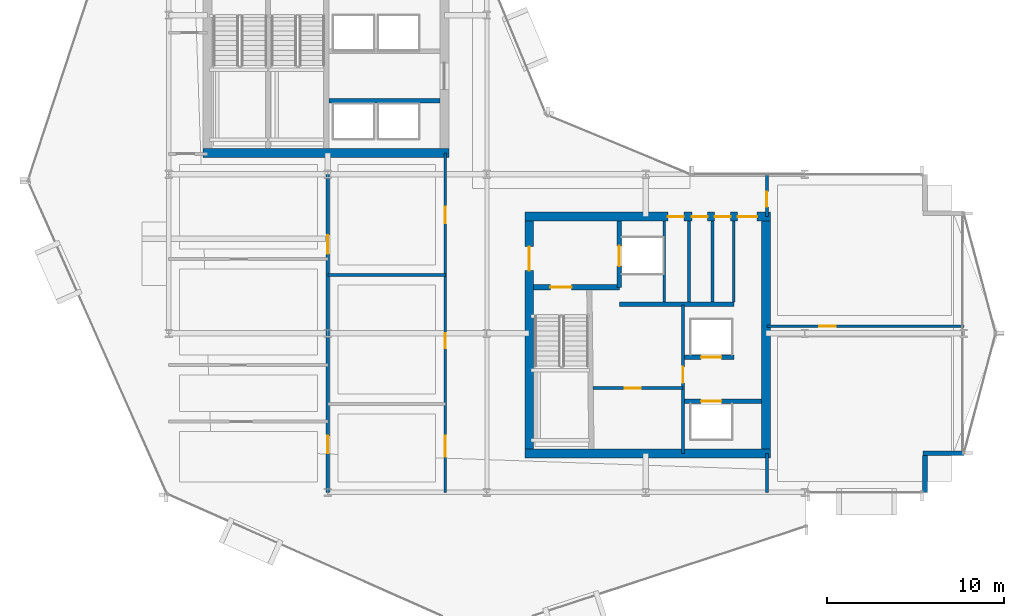
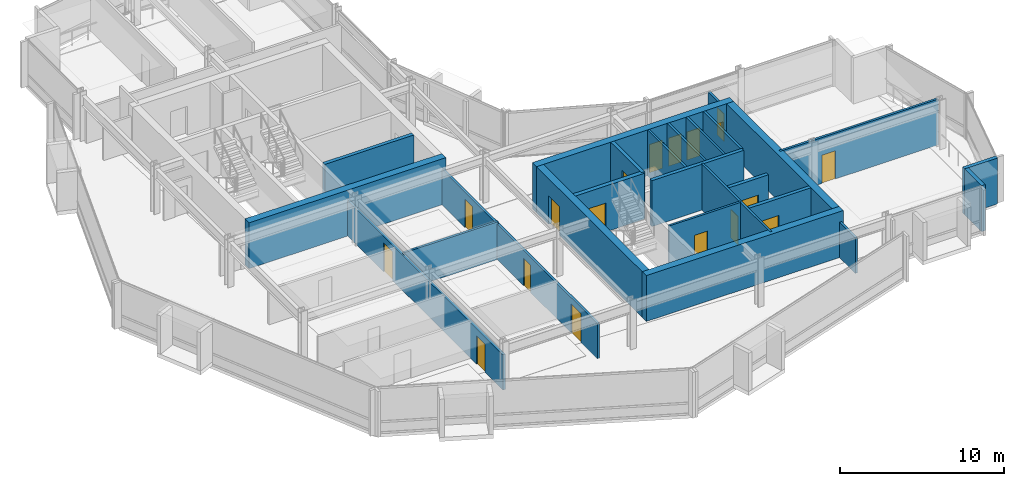
# One storey, part 22 of 28: 25 walls, 18 doors, 18 openings.
"""IFC4 building model written with IfcOpenShell, lengths in metres."""

from ifc_helpers import new_model, si_unit, direction, frame, frame_2d, origin, place, context, subcontext, project, spatial, rectangle, extrude, material, layer, layer_set, type_object, element, fill, save


model = new_model("IFC4")

# Units and contexts
model_context = context("Model", 3, precision=1e-05, world=origin(), true_north=direction((0.0, 1.0)))
body_context = subcontext(model_context, "Body", "Model", "MODEL_VIEW")
ifc_project = project(units=[si_unit("LENGTHUNIT", "METRE"), si_unit("AREAUNIT", "SQUARE_METRE"), si_unit("VOLUMEUNIT", "CUBIC_METRE"), si_unit("PLANEANGLEUNIT", "RADIAN"), si_unit("MASSUNIT", "GRAM", prefix="KILO")], contexts=[model_context])

# Site, building, storey
site_placement = place(None, origin())
site = spatial("IfcSite", under=ifc_project, at=site_placement, CompositionType="ELEMENT")
building_placement = place(site_placement, origin())
building = spatial("IfcBuilding", under=site, at=building_placement, Name="Solvaryn Broadcast Tower", CompositionType="ELEMENT")
storey_placement = place(building_placement, frame((0.0, 0.0, 132.199951171875)))
storey = spatial("IfcBuildingStorey", under=building, at=storey_placement, Name="L32", CompositionType="ELEMENT", Elevation=132.199951171875)

# Walls
ifc_material_1 = material(Name="Concrete f'c 70 MPa", Category="concrete")
ifc_layer_1 = layer(ifc_material_1, 0.5)
ifc_layer_set_1 = layer_set([ifc_layer_1], Name="CW-SHEAR-500")
wall_type_1 = type_object("IfcWallType", Name="CW-SHEAR-500", PredefinedType="SHEAR", material=ifc_layer_set_1)
for number, where, z_axis, x_axis, name in (
    (1, (10.949951171875, 28.199951171875, 0.0), (0.0, 0.0, 1.0), (1.0, 0.0, 0.0), "L32 West Core South Shear Wall"),
    (2, (29.14990234375, 11.199951171875, 0.0), (0.0, 0.0, 1.0), (1.0, 0.0, 0.0), "L32 East Core South Shear Wall"),
):
    element("IfcWall", number, at=place(storey_placement, frame(where, z_axis=z_axis, x_axis=x_axis)), inside=storey, type_object=wall_type_1, Name=name, PredefinedType="SHEAR", context=body_context, shape_type="SweptSolid", body=[
        extrude(rectangle(XDim=13.900146484375, YDim=0.5, at=frame_2d((6.9501953125, 0.0))), origin(), (0.0, 0.0, 1.0), 3.420166015625),
    ])

# Wall, openings, doors
wall_1_placement = place(storey_placement, frame((43.050048828125, 24.60009765625, 0.0), z_axis=(0.0, 0.0, 1.0), x_axis=(-1.0, 0.0, 0.0)))
wall_1 = element("IfcWall", 3, at=wall_1_placement, inside=storey, type_object=wall_type_1, Name="L32 East Core North Shear Wall", PredefinedType="SHEAR", context=body_context, shape_type="SweptSolid", body=[
    extrude(rectangle(XDim=13.900146484375, YDim=0.5, at=frame_2d((6.9501953125, 0.0))), origin(), (0.0, 0.0, 1.0), 3.420166015625),
])
opening_1_placement = place(wall_1_placement, frame((0.75, 0.0, 0.0)))
opening_1 = element("IfcOpeningElement", 4, at=opening_1_placement, cuts=wall_1, Name="Opening FD90C", PredefinedType="OPENING", context=body_context, shape_type="SweptSolid", body=[
    extrude(rectangle(XDim=1.10009765625, YDim=2.14990234375, at=frame_2d((0.550048828125, 1.074951171875))), frame((0.0, 0.260009765625, 0.0), z_axis=(0.0, -1.0, 0.0), x_axis=(1.0, 0.0, 0.0)), (0.0, 0.0, 1.0), 0.52001953125),
])
opening_2_placement = place(wall_1_placement, frame((2.25, 0.0, 0.0)))
opening_2 = element("IfcOpeningElement", 5, at=opening_2_placement, cuts=wall_1, Name="Opening FD60C", PredefinedType="OPENING", context=body_context, shape_type="SweptSolid", body=[
    extrude(rectangle(XDim=0.89990234375, YDim=2.10009765625, at=frame_2d((0.449951171875, 1.050048828125))), frame((0.0, 0.260009765625, 0.0), z_axis=(0.0, -1.0, 0.0), x_axis=(1.0, 0.0, 0.0)), (0.0, 0.0, 1.0), 0.52001953125),
])
opening_3_placement = place(wall_1_placement, frame((3.550048828125, 0.0, 0.0)))
opening_3 = element("IfcOpeningElement", 6, at=opening_3_placement, cuts=wall_1, Name="Opening FD60C", PredefinedType="OPENING", context=body_context, shape_type="SweptSolid", body=[
    extrude(rectangle(XDim=0.89990234375, YDim=2.10009765625, at=frame_2d((0.449951171875, 1.050048828125))), frame((0.0, 0.260009765625, 0.0), z_axis=(0.0, -1.0, 0.0), x_axis=(1.0, 0.0, 0.0)), (0.0, 0.0, 1.0), 0.52001953125),
])
opening_4_placement = place(wall_1_placement, frame((4.89990234375, 0.0, 0.0)))
opening_4 = element("IfcOpeningElement", 7, at=opening_4_placement, cuts=wall_1, Name="Opening FD60C", PredefinedType="OPENING", context=body_context, shape_type="SweptSolid", body=[
    extrude(rectangle(XDim=0.89990234375, YDim=2.10009765625, at=frame_2d((0.449951171875, 1.050048828125))), frame((0.0, 0.260009765625, 0.0), z_axis=(0.0, -1.0, 0.0), x_axis=(1.0, 0.0, 0.0)), (0.0, 0.0, 1.0), 0.52001953125),
])
ifc_material_2 = material(Name="Flush Acoustic Steel and Timber Door Assembly", Category="steel")
door_type_1 = type_object("IfcDoorType", Name="FD60-SERV-900X2100", OperationType="NOTDEFINED", PredefinedType="DOOR", material=ifc_material_2)
door_1_placement = place(opening_2_placement, origin())
door_1 = element("IfcDoor", 8, at=door_1_placement, inside=storey, type_object=door_type_1, Name="L32 Core Wellness Room Door", OperationType="SINGLE_SWING_RIGHT", OverallHeight=2.10009765625, OverallWidth=0.89990234375, PredefinedType="DOOR", context=body_context, shape_type="SweptSolid", body=[
    extrude(rectangle(XDim=0.89990234375, YDim=2.10009765625, at=frame_2d((0.449951171875, 1.050048828125))), frame((0.0, 0.02490234375, 0.0), z_axis=(0.0, -1.0, 0.0), x_axis=(1.0, 0.0, 0.0)), (0.0, 0.0, 1.0), 0.050048828125),
])
fill(opening_2, door_1)
door_2_placement = place(opening_3_placement, origin())
door_2 = element("IfcDoor", 9, at=door_2_placement, inside=storey, type_object=door_type_1, Name="L32 Staff Restroom Door", OperationType="SINGLE_SWING_LEFT", OverallHeight=2.10009765625, OverallWidth=0.89990234375, PredefinedType="DOOR", context=body_context, shape_type="SweptSolid", body=[
    extrude(rectangle(XDim=0.89990234375, YDim=2.10009765625, at=frame_2d((0.449951171875, 1.050048828125))), frame((0.0, 0.02490234375, 0.0), z_axis=(0.0, -1.0, 0.0), x_axis=(1.0, 0.0, 0.0)), (0.0, 0.0, 1.0), 0.050048828125),
])
fill(opening_3, door_2)
door_3_placement = place(opening_4_placement, origin())
door_3 = element("IfcDoor", 10, at=door_3_placement, inside=storey, type_object=door_type_1, Name="L32 Accessible WC Door", OperationType="SINGLE_SWING_RIGHT", OverallHeight=2.10009765625, OverallWidth=0.89990234375, PredefinedType="DOOR", context=body_context, shape_type="SweptSolid", body=[
    extrude(rectangle(XDim=0.89990234375, YDim=2.10009765625, at=frame_2d((0.449951171875, 1.050048828125))), frame((0.0, 0.02490234375, 0.0), z_axis=(0.0, -1.0, 0.0), x_axis=(1.0, 0.0, 0.0)), (0.0, 0.0, 1.0), 0.050048828125),
])
fill(opening_4, door_3)
ifc_material_3 = material(Name="Flush Acoustic Steel and Timber Door Assembly", Category="steel")
door_type_2 = type_object("IfcDoorType", Name="FD90-PLANT-1100X2150", OperationType="NOTDEFINED", PredefinedType="DOOR", material=ifc_material_3)
door_4_placement = place(opening_1_placement, origin())
door_4 = element("IfcDoor", 11, at=door_4_placement, inside=storey, type_object=door_type_2, Name="L32 East Core Lobby Corridor Door", OperationType="SINGLE_SWING_LEFT", OverallHeight=2.14990234375, OverallWidth=1.10009765625, PredefinedType="DOOR", context=body_context, shape_type="SweptSolid", body=[
    extrude(rectangle(XDim=1.10009765625, YDim=2.14990234375, at=frame_2d((0.550048828125, 1.074951171875))), frame((0.0, 0.02490234375, 0.0), z_axis=(0.0, -1.0, 0.0), x_axis=(1.0, 0.0, 0.0)), (0.0, 0.0, 1.0), 0.050048828125),
])
fill(opening_1, door_4)

# Wall, opening, door
wall_2_placement = place(storey_placement, frame((29.39990234375, 24.35009765625, 0.0), z_axis=(0.0, 0.0, 1.0), x_axis=(0.0, -1.0, 0.0)))
wall_2 = element("IfcWall", 12, at=wall_2_placement, inside=storey, type_object=wall_type_1, Name="L32 East Core West Shear Wall", PredefinedType="SHEAR", context=body_context, shape_type="SweptSolid", body=[
    extrude(rectangle(XDim=12.900146484375, YDim=0.5, at=frame_2d((6.4501953125, 0.0))), origin(), (0.0, 0.0, 1.0), 3.420166015625),
])
opening_5_placement = place(wall_2_placement, frame((1.449951171875, 0.0, 0.0)))
opening_5 = element("IfcOpeningElement", 13, at=opening_5_placement, cuts=wall_2, Name="Opening FD90B", PredefinedType="OPENING", context=body_context, shape_type="SweptSolid", body=[
    extrude(rectangle(XDim=1.35009765625, YDim=2.14990234375, at=frame_2d((0.675048828125, 1.074951171875))), frame((0.0, 0.260009765625, 0.0), z_axis=(0.0, -1.0, 0.0), x_axis=(1.0, 0.0, 0.0)), (0.0, 0.0, 1.0), 0.52001953125),
])
ifc_material_4 = material(Name="Flush Acoustic Steel and Timber Door Assembly", Category="steel")
door_type_3 = type_object("IfcDoorType", Name="FD90-LOBBY-1350X2150", OperationType="NOTDEFINED", PredefinedType="DOOR", material=ifc_material_4)
door_5_placement = place(opening_5_placement, origin())
door_5 = element("IfcDoor", 14, at=door_5_placement, inside=storey, type_object=door_type_3, Name="L32 East FSAE Lobby Door", OperationType="SINGLE_SWING_RIGHT", OverallHeight=2.14990234375, OverallWidth=1.35009765625, PredefinedType="DOOR", context=body_context, shape_type="SweptSolid", body=[
    extrude(rectangle(XDim=1.35009765625, YDim=2.14990234375, at=frame_2d((0.675048828125, 1.074951171875))), frame((0.0, 0.02490234375, 0.0), z_axis=(0.0, -1.0, 0.0), x_axis=(1.0, 0.0, 0.0)), (0.0, 0.0, 1.0), 0.050048828125),
])
fill(opening_5, door_5)

# Walls
wall_3_placement = place(storey_placement, frame((42.800048828125, 11.449951171875, 0.0), z_axis=(0.0, 0.0, 1.0), x_axis=(0.0, 1.0, 0.0)))
element("IfcWall", 15, at=wall_3_placement, inside=storey, type_object=wall_type_1, Name="L32 East Core East Shear Wall", PredefinedType="SHEAR", context=body_context, shape_type="SweptSolid", body=[
    extrude(rectangle(XDim=12.900146484375, YDim=0.5, at=frame_2d((6.4501953125, 0.0))), origin(), (0.0, 0.0, 1.0), 3.420166015625),
])
ifc_material_5 = material(Name="Concrete f'c 50 MPa", Category="concrete")
ifc_layer_2 = layer(ifc_material_5, 0.260009765625)
ifc_layer_set_2 = layer_set([ifc_layer_2], Name="EW-PIER-260")
wall_type_2 = type_object("IfcWallType", Name="EW-PIER-260", PredefinedType="SOLIDWALL", material=ifc_layer_set_2)
wall_4_placement = place(storey_placement, frame((51.800048828125, 9.0, 0.0), z_axis=(0.0, 0.0, 1.0), x_axis=(0.0, 1.0, 0.0)))
element("IfcWall", 16, at=wall_4_placement, inside=storey, type_object=wall_type_2, Name="L32 Notched Corner Pier Wall NSE1", PredefinedType="SOLIDWALL", context=body_context, shape_type="SweptSolid", body=[
    extrude(rectangle(XDim=2.080078125, YDim=0.260009765625, at=frame_2d((1.0400390625, 0.0))), origin(), (0.0, 0.0, 1.0), 3.420166015625),
])
wall_5_placement = place(storey_placement, frame((51.679931640625, 11.199951171875, 0.0), z_axis=(0.0, 0.0, 1.0), x_axis=(1.0, 0.0, 0.0)))
element("IfcWall", 17, at=wall_5_placement, inside=storey, type_object=wall_type_2, Name="L32 Notched Corner Pier Wall NSE2", PredefinedType="SOLIDWALL", context=body_context, shape_type="SweptSolid", body=[
    extrude(rectangle(XDim=2.320068359375, YDim=0.260009765625, at=frame_2d((1.16015625, 0.0))), origin(), (0.0, 0.0, 1.0), 3.420166015625),
])

# Wall, opening, door
ifc_material_6 = material(Name="Metal-Stud Service Core Partition")
ifc_layer_3 = layer(ifc_material_6, 0.14990234375)
ifc_layer_set_3 = layer_set([ifc_layer_3], Name="IW-PART-150")
wall_type_3 = type_object("IfcWallType", Name="IW-PART-150", PredefinedType="PARTITIONING", material=ifc_layer_set_3)
wall_6_placement = place(storey_placement, frame((33.0, 14.89990234375, 0.0), z_axis=(0.0, 0.0, 1.0), x_axis=(1.0, 0.0, 0.0)))
wall_6 = element("IfcWall", 18, at=wall_6_placement, inside=storey, type_object=wall_type_3, Name="L32 Interior Partition IW-L32-RPL-H", PredefinedType="PARTITIONING", context=body_context, shape_type="SweptSolid", body=[
    extrude(rectangle(XDim=5.10009765625, YDim=0.14990234375, at=frame_2d((2.550048828125, 0.0))), origin(), (0.0, 0.0, 1.0), 3.420166015625),
])
opening_6_placement = place(wall_6_placement, frame((1.800048828125, 0.0, 0.0)))
opening_6 = element("IfcOpeningElement", 19, at=opening_6_placement, cuts=wall_6, Name="Opening FD60C", PredefinedType="OPENING", context=body_context, shape_type="SweptSolid", body=[
    extrude(rectangle(XDim=0.89990234375, YDim=2.10009765625, at=frame_2d((0.449951171875, 1.050048828125))), frame((0.0, 0.0849609375, 0.0), z_axis=(0.0, -1.0, 0.0), x_axis=(1.0, 0.0, 0.0)), (0.0, 0.0, 1.0), 0.169921875),
])
door_6_placement = place(opening_6_placement, origin())
door_6 = element("IfcDoor", 20, at=door_6_placement, inside=storey, type_object=door_type_1, Name="L32 Door DR-L32-RPL1", OperationType="SINGLE_SWING_LEFT", OverallHeight=2.10009765625, OverallWidth=0.89990234375, PredefinedType="DOOR", context=body_context, shape_type="SweptSolid", body=[
    extrude(rectangle(XDim=0.89990234375, YDim=2.10009765625, at=frame_2d((0.449951171875, 1.050048828125))), frame((0.0, 0.02490234375, 0.0), z_axis=(0.0, -1.0, 0.0), x_axis=(1.0, 0.0, 0.0)), (0.0, 0.0, 1.0), 0.050048828125),
])
fill(opening_6, door_6)

wall_7_placement = place(storey_placement, frame((38.10009765625, 11.199951171875, 0.0), z_axis=(0.0, 0.0, 1.0), x_axis=(0.0, 1.0, 0.0)))
wall_7 = element("IfcWall", 21, at=wall_7_placement, inside=storey, type_object=wall_type_3, Name="L32 Interior Partition IW-L32-RPL-E", PredefinedType="PARTITIONING", context=body_context, shape_type="SweptSolid", body=[
    extrude(rectangle(XDim=8.400146484375, YDim=0.14990234375, at=frame_2d((4.2001953125, 0.0))), origin(), (0.0, 0.0, 1.0), 3.420166015625),
])
opening_7_placement = place(wall_7_placement, frame((4.0, 0.0, 0.0)))
opening_7 = element("IfcOpeningElement", 22, at=opening_7_placement, cuts=wall_7, Name="Opening FD60C", PredefinedType="OPENING", context=body_context, shape_type="SweptSolid", body=[
    extrude(rectangle(XDim=0.89990234375, YDim=2.10009765625, at=frame_2d((0.449951171875, 1.050048828125))), frame((0.0, 0.0849609375, 0.0), z_axis=(0.0, -1.0, 0.0), x_axis=(1.0, 0.0, 0.0)), (0.0, 0.0, 1.0), 0.169921875),
])
door_7_placement = place(opening_7_placement, origin())
door_7 = element("IfcDoor", 23, at=door_7_placement, inside=storey, type_object=door_type_1, Name="L32 Door DR-L32-RPL2", OperationType="SINGLE_SWING_RIGHT", OverallHeight=2.10009765625, OverallWidth=0.89990234375, PredefinedType="DOOR", context=body_context, shape_type="SweptSolid", body=[
    extrude(rectangle(XDim=0.89990234375, YDim=2.10009765625, at=frame_2d((0.449951171875, 1.050048828125))), frame((0.0, 0.02490234375, 0.0), z_axis=(0.0, -1.0, 0.0), x_axis=(1.0, 0.0, 0.0)), (0.0, 0.0, 1.0), 0.050048828125),
])
fill(opening_7, door_7)

# Walls
for number, where, z_axis, x_axis, name in (
    (24, (37.050048828125, 19.780029296875, 0.0), (0.0, 0.0, 1.0), (0.0, 1.0, 0.0), "L32 Interior Partition IW-L32-CE-FL2E"),
    (25, (38.43994140625, 19.780029296875, 0.0), (0.0, 0.0, 1.0), (0.0, 1.0, 0.0), "L32 Interior Partition IW-L32-CE-V1"),
    (26, (39.77001953125, 19.780029296875, 0.0), (0.0, 0.0, 1.0), (0.0, 1.0, 0.0), "L32 Interior Partition IW-L32-CE-V2"),
    (27, (40.97998046875, 19.780029296875, 0.0), (0.0, 0.0, 1.0), (0.0, 1.0, 0.0), "L32 Interior Partition IW-L32-CE-V3"),
):
    element("IfcWall", number, at=place(storey_placement, frame(where, z_axis=z_axis, x_axis=x_axis)), inside=storey, type_object=wall_type_3, Name=name, PredefinedType="PARTITIONING", context=body_context, shape_type="SweptSolid", body=[
        extrude(rectangle(XDim=4.570068359375, YDim=0.14990234375, at=frame_2d((2.28515625, 0.0))), origin(), (0.0, 0.0, 1.0), 3.420166015625),
    ])

# Wall, openings, doors
ifc_material_7 = material(Name="Metal-Stud Gypsum Office Partition")
ifc_layer_4 = layer(ifc_material_7, 0.159912109375)
ifc_layer_set_4 = layer_set([ifc_layer_4], Name="IW-PART-160")
wall_type_4 = type_object("IfcWallType", Name="IW-PART-160", PredefinedType="PARTITIONING", material=ifc_layer_set_4)
wall_8_placement = place(storey_placement, frame((24.64990234375, 9.0, 0.0), z_axis=(0.0, 0.0, 1.0), x_axis=(0.0, 1.0, 0.0)))
wall_8 = element("IfcWall", 28, at=wall_8_placement, inside=storey, type_object=wall_type_4, Name="L32 Interior Partition IW-L32-SW-EB", PredefinedType="PARTITIONING", context=body_context, shape_type="SweptSolid", body=[
    extrude(rectangle(XDim=19.199951171875, YDim=0.159912109375, at=frame_2d((9.60009765625, 0.0))), origin(), (0.0, 0.0, 1.0), 2.634033203125),
])
opening_8_placement = place(wall_8_placement, frame((2.0, 0.0, 0.0)))
opening_8 = element("IfcOpeningElement", 29, at=opening_8_placement, cuts=wall_8, Name="Opening ID04", PredefinedType="OPENING", context=body_context, shape_type="SweptSolid", body=[
    extrude(rectangle(XDim=1.199951171875, YDim=2.14990234375, at=frame_2d((0.60009765625, 1.074951171875))), frame((0.0, 0.090087890625, 0.0), z_axis=(0.0, -1.0, 0.0), x_axis=(1.0, 0.0, 0.0)), (0.0, 0.0, 1.0), 0.179931640625),
])
opening_9_placement = place(wall_8_placement, frame((8.14990234375, 0.0, 0.0)))
opening_9 = element("IfcOpeningElement", 30, at=opening_9_placement, cuts=wall_8, Name="Opening ID07", PredefinedType="OPENING", context=body_context, shape_type="SweptSolid", body=[
    extrude(rectangle(XDim=0.860107421875, YDim=2.050048828125, at=frame_2d((0.43017578125, 1.02490234375))), frame((0.0, 0.090087890625, 0.0), z_axis=(0.0, -1.0, 0.0), x_axis=(1.0, 0.0, 0.0)), (0.0, 0.0, 1.0), 0.179931640625),
])
opening_10_placement = place(wall_8_placement, frame((15.215087890625, 0.0, 0.0)))
opening_10 = element("IfcOpeningElement", 31, at=opening_10_placement, cuts=wall_8, Name="Opening ID01", PredefinedType="OPENING", context=body_context, shape_type="SweptSolid", body=[
    extrude(rectangle(XDim=0.949951171875, YDim=2.10009765625, at=frame_2d((0.47509765625, 1.050048828125))), frame((0.0, 0.090087890625, 0.0), z_axis=(0.0, -1.0, 0.0), x_axis=(1.0, 0.0, 0.0)), (0.0, 0.0, 1.0), 0.179931640625),
])
ifc_material_8 = material(Name="Flush Acoustic Steel and Timber Door Assembly", Category="steel")
door_type_4 = type_object("IfcDoorType", Name="ID-01-950X2100", OperationType="NOTDEFINED", PredefinedType="DOOR", material=ifc_material_8)
door_8_placement = place(opening_10_placement, origin())
door_8 = element("IfcDoor", 32, at=door_8_placement, inside=storey, type_object=door_type_4, Name="L32 Door DR-L32-SWE-3", OperationType="SINGLE_SWING_RIGHT", OverallHeight=2.10009765625, OverallWidth=0.949951171875, PredefinedType="DOOR", context=body_context, shape_type="SweptSolid", body=[
    extrude(rectangle(XDim=0.949951171875, YDim=2.10009765625, at=frame_2d((0.47509765625, 1.050048828125))), frame((0.0, 0.02490234375, 0.0), z_axis=(0.0, -1.0, 0.0), x_axis=(1.0, 0.0, 0.0)), (0.0, 0.0, 1.0), 0.050048828125),
])
fill(opening_10, door_8)
ifc_material_9 = material(Name="Flush Acoustic Steel and Timber Door Assembly", Category="steel")
door_type_5 = type_object("IfcDoorType", Name="ID-04-1200X2150", OperationType="NOTDEFINED", PredefinedType="DOOR", material=ifc_material_9)
door_9_placement = place(opening_8_placement, origin())
door_9 = element("IfcDoor", 33, at=door_9_placement, inside=storey, type_object=door_type_5, Name="L32 Door DR-L32-SWE-1", OperationType="SINGLE_SWING_RIGHT", OverallHeight=2.14990234375, OverallWidth=1.199951171875, PredefinedType="DOOR", context=body_context, shape_type="SweptSolid", body=[
    extrude(rectangle(XDim=1.199951171875, YDim=2.14990234375, at=frame_2d((0.60009765625, 1.074951171875))), frame((0.0, 0.02490234375, 0.0), z_axis=(0.0, -1.0, 0.0), x_axis=(1.0, 0.0, 0.0)), (0.0, 0.0, 1.0), 0.050048828125),
])
fill(opening_8, door_9)
ifc_material_10 = material(Name="Flush Acoustic Steel and Timber Door Assembly", Category="steel")
door_type_6 = type_object("IfcDoorType", Name="ID-07-860X2050", OperationType="NOTDEFINED", PredefinedType="DOOR", material=ifc_material_10)
door_10_placement = place(opening_9_placement, origin())
door_10 = element("IfcDoor", 34, at=door_10_placement, inside=storey, type_object=door_type_6, Name="L32 Door DR-L32-SWE-2", OperationType="SINGLE_SWING_LEFT", OverallHeight=2.050048828125, OverallWidth=0.860107421875, PredefinedType="DOOR", context=body_context, shape_type="SweptSolid", body=[
    extrude(rectangle(XDim=0.860107421875, YDim=2.050048828125, at=frame_2d((0.43017578125, 1.02490234375))), frame((0.0, 0.02490234375, 0.0), z_axis=(0.0, -1.0, 0.0), x_axis=(1.0, 0.0, 0.0)), (0.0, 0.0, 1.0), 0.050048828125),
])
fill(opening_9, door_10)

# Walls
wall_9_placement = place(storey_placement, frame((18.0, 21.300048828125, 0.0), z_axis=(0.0, 0.0, 1.0), x_axis=(1.0, 0.0, 0.0)))
element("IfcWall", 35, at=wall_9_placement, inside=storey, type_object=wall_type_4, Name="L32 Interior Partition IW-L32-SWE-H2", PredefinedType="PARTITIONING", context=body_context, shape_type="SweptSolid", body=[
    extrude(rectangle(XDim=6.64990234375, YDim=0.159912109375, at=frame_2d((3.324951171875, 0.0))), origin(), (0.0, 0.0, 1.0), 2.7919921875),
])
wall_10_placement = place(storey_placement, frame((42.85009765625, 9.0, 0.0), z_axis=(0.0, 0.0, 1.0), x_axis=(0.0, 1.0, 0.0)))
element("IfcWall", 36, at=wall_10_placement, inside=storey, type_object=wall_type_4, Name="L32 Interior Partition IW-L32-SC-E", PredefinedType="PARTITIONING", context=body_context, shape_type="SweptSolid", body=[
    extrude(rectangle(XDim=2.199951171875, YDim=0.159912109375, at=frame_2d((1.10009765625, 0.0))), origin(), (0.0, 0.0, 1.0), 2.634033203125),
])

# Wall, opening, door
wall_11_placement = place(storey_placement, frame((42.85009765625, 24.60009765625, 0.0), z_axis=(0.0, 0.0, 1.0), x_axis=(0.0, 1.0, 0.0)))
wall_11 = element("IfcWall", 37, at=wall_11_placement, inside=storey, type_object=wall_type_4, Name="L32 Interior Partition IW-L32-EW-BN", PredefinedType="PARTITIONING", context=body_context, shape_type="SweptSolid", body=[
    extrude(rectangle(XDim=2.39990234375, YDim=0.159912109375, at=frame_2d((1.199951171875, 0.0))), origin(), (0.0, 0.0, 1.0), 2.634033203125),
])
opening_11_placement = place(wall_11_placement, frame((0.550048828125, 0.0, 0.0)))
opening_11 = element("IfcOpeningElement", 38, at=opening_11_placement, cuts=wall_11, Name="Opening ID07", PredefinedType="OPENING", context=body_context, shape_type="SweptSolid", body=[
    extrude(rectangle(XDim=0.860107421875, YDim=2.050048828125, at=frame_2d((0.43017578125, 1.02490234375))), frame((0.0, 0.090087890625, 0.0), z_axis=(0.0, -1.0, 0.0), x_axis=(1.0, 0.0, 0.0)), (0.0, 0.0, 1.0), 0.179931640625),
])
door_11_placement = place(opening_11_placement, origin())
door_11 = element("IfcDoor", 39, at=door_11_placement, inside=storey, type_object=door_type_6, Name="L32 Door DR-L32-EW0", OperationType="SINGLE_SWING_LEFT", OverallHeight=2.050048828125, OverallWidth=0.860107421875, PredefinedType="DOOR", context=body_context, shape_type="SweptSolid", body=[
    extrude(rectangle(XDim=0.860107421875, YDim=2.050048828125, at=frame_2d((0.43017578125, 1.02490234375))), frame((0.0, 0.02490234375, 0.0), z_axis=(0.0, -1.0, 0.0), x_axis=(1.0, 0.0, 0.0)), (0.0, 0.0, 1.0), 0.050048828125),
])
fill(opening_11, door_11)

wall_12_placement = place(storey_placement, frame((42.85009765625, 18.39990234375, 0.0), z_axis=(0.0, 0.0, 1.0), x_axis=(1.0, 0.0, 0.0)))
wall_12 = element("IfcWall", 40, at=wall_12_placement, inside=storey, type_object=wall_type_4, Name="L32 Interior Partition IW-L32-EW-H1", PredefinedType="PARTITIONING", context=body_context, shape_type="SweptSolid", body=[
    extrude(rectangle(XDim=11.14990234375, YDim=0.159912109375, at=frame_2d((5.574951171875, 0.0))), origin(), (0.0, 0.0, 1.0), 3.420166015625),
])
opening_12_placement = place(wall_12_placement, frame((2.949951171875, 0.0, 0.0)))
opening_12 = element("IfcOpeningElement", 41, at=opening_12_placement, cuts=wall_12, Name="Opening ID01", PredefinedType="OPENING", context=body_context, shape_type="SweptSolid", body=[
    extrude(rectangle(XDim=0.949951171875, YDim=2.10009765625, at=frame_2d((0.47509765625, 1.050048828125))), frame((0.0, 0.090087890625, 0.0), z_axis=(0.0, -1.0, 0.0), x_axis=(1.0, 0.0, 0.0)), (0.0, 0.0, 1.0), 0.179931640625),
])
door_12_placement = place(opening_12_placement, origin())
door_12 = element("IfcDoor", 42, at=door_12_placement, inside=storey, type_object=door_type_4, Name="L32 Door DR-L32-EW-1", OperationType="SINGLE_SWING_RIGHT", OverallHeight=2.10009765625, OverallWidth=0.949951171875, PredefinedType="DOOR", context=body_context, shape_type="SweptSolid", body=[
    extrude(rectangle(XDim=0.949951171875, YDim=2.10009765625, at=frame_2d((0.47509765625, 1.050048828125))), frame((0.0, 0.02490234375, 0.0), z_axis=(0.0, -1.0, 0.0), x_axis=(1.0, 0.0, 0.0)), (0.0, 0.0, 1.0), 0.050048828125),
])
fill(opening_12, door_12)

# Wall, openings, doors
ifc_material_11 = material(Name="Acoustic Metal-Stud Gypsum Partition")
ifc_layer_5 = layer(ifc_material_11, 0.179931640625)
ifc_layer_set_5 = layer_set([ifc_layer_5], Name="IW-PART-180")
wall_type_5 = type_object("IfcWallType", Name="IW-PART-180", PredefinedType="PARTITIONING", material=ifc_layer_set_5)
wall_13_placement = place(storey_placement, frame((18.0, 9.0, 0.0), z_axis=(0.0, 0.0, 1.0), x_axis=(0.0, 1.0, 0.0)))
wall_13 = element("IfcWall", 43, at=wall_13_placement, inside=storey, type_object=wall_type_5, Name="L32 Interior Partition IW-L32-SW-VX", PredefinedType="PARTITIONING", context=body_context, shape_type="SweptSolid", body=[
    extrude(rectangle(XDim=19.1298828125, YDim=0.179931640625, at=frame_2d((9.56494140625, 0.0))), origin(), (0.0, 0.0, 1.0), 2.634033203125),
])
opening_13_placement = place(wall_13_placement, frame((2.199951171875, 0.0, 0.0)))
opening_13 = element("IfcOpeningElement", 44, at=opening_13_placement, cuts=wall_13, Name="Opening ID02", PredefinedType="OPENING", context=body_context, shape_type="SweptSolid", body=[
    extrude(rectangle(XDim=1.0, YDim=2.10009765625, at=frame_2d((0.5, 1.050048828125))), frame((0.0, 0.099853515625, 0.0), z_axis=(0.0, -1.0, 0.0), x_axis=(1.0, 0.0, 0.0)), (0.0, 0.0, 1.0), 0.199951171875),
])
opening_14_placement = place(wall_13_placement, frame((13.5, 0.0, 0.0)))
opening_14 = element("IfcOpeningElement", 45, at=opening_14_placement, cuts=wall_13, Name="Opening ID03", PredefinedType="OPENING", context=body_context, shape_type="SweptSolid", body=[
    extrude(rectangle(XDim=1.050048828125, YDim=2.14990234375, at=frame_2d((0.52490234375, 1.074951171875))), frame((0.0, 0.099853515625, 0.0), z_axis=(0.0, -1.0, 0.0), x_axis=(1.0, 0.0, 0.0)), (0.0, 0.0, 1.0), 0.199951171875),
])
ifc_material_12 = material(Name="Flush Acoustic Steel and Timber Door Assembly", Category="steel")
door_type_7 = type_object("IfcDoorType", Name="ID-02-1000X2100", OperationType="NOTDEFINED", PredefinedType="DOOR", material=ifc_material_12)
door_13_placement = place(opening_13_placement, origin())
door_13 = element("IfcDoor", 46, at=door_13_placement, inside=storey, type_object=door_type_7, Name="L32 Door DR-L32-SWW-X1", OperationType="SINGLE_SWING_LEFT", OverallHeight=2.10009765625, OverallWidth=1.0, PredefinedType="DOOR", context=body_context, shape_type="SweptSolid", body=[
    extrude(rectangle(XDim=1.0, YDim=2.10009765625, at=frame_2d((0.5, 1.050048828125))), frame((0.0, 0.02490234375, 0.0), z_axis=(0.0, -1.0, 0.0), x_axis=(1.0, 0.0, 0.0)), (0.0, 0.0, 1.0), 0.050048828125),
])
fill(opening_13, door_13)
ifc_material_13 = material(Name="Flush Acoustic Steel and Timber Door Assembly", Category="steel")
door_type_8 = type_object("IfcDoorType", Name="ID-03-1050X2150", OperationType="NOTDEFINED", PredefinedType="DOOR", material=ifc_material_13)
door_14_placement = place(opening_14_placement, origin())
door_14 = element("IfcDoor", 47, at=door_14_placement, inside=storey, type_object=door_type_8, Name="L32 Door DR-L32-SWW-X2", OperationType="SINGLE_SWING_RIGHT", OverallHeight=2.14990234375, OverallWidth=1.050048828125, PredefinedType="DOOR", context=body_context, shape_type="SweptSolid", body=[
    extrude(rectangle(XDim=1.050048828125, YDim=2.14990234375, at=frame_2d((0.52490234375, 1.074951171875))), frame((0.0, 0.02490234375, 0.0), z_axis=(0.0, -1.0, 0.0), x_axis=(1.0, 0.0, 0.0)), (0.0, 0.0, 1.0), 0.050048828125),
])
fill(opening_14, door_14)

# Wall
ifc_material_14 = material(Name="Concrete f'c 60 MPa", Category="concrete")
ifc_layer_6 = layer(ifc_material_14, 0.25)
ifc_layer_set_6 = layer_set([ifc_layer_6], Name="SW-SHAFT-250")
wall_type_6 = type_object("IfcWallType", Name="SW-SHAFT-250", PredefinedType="PARTITIONING", material=ifc_layer_set_6)
wall_14_placement = place(storey_placement, frame((18.070068359375, 31.14990234375, 0.0), z_axis=(0.0, 0.0, 1.0), x_axis=(1.0, 0.0, 0.0)))
element("IfcWall", 48, at=wall_14_placement, inside=storey, type_object=wall_type_6, Name="L32 High-Rise Lift Bank South Wall", PredefinedType="PARTITIONING", context=body_context, shape_type="SweptSolid", body=[
    extrude(rectangle(XDim=6.280029296875, YDim=0.25, at=frame_2d((3.14013671875, 0.0))), origin(), (0.0, 0.0, 1.0), 3.420166015625),
])

# Wall, opening, door
wall_15_placement = place(storey_placement, frame((34.5, 20.60009765625, 0.0), z_axis=(0.0, 0.0, 1.0), x_axis=(0.0, 1.0, 0.0)))
wall_15 = element("IfcWall", 49, at=wall_15_placement, inside=storey, type_object=wall_type_6, Name="L32 East FSAE Lobby East Wall", PredefinedType="PARTITIONING", context=body_context, shape_type="SweptSolid", body=[
    extrude(rectangle(XDim=3.75, YDim=0.25, at=frame_2d((1.875, 0.0))), origin(), (0.0, 0.0, 1.0), 3.420166015625),
])
opening_15_placement = place(wall_15_placement, frame((1.199951171875, 0.0, 0.0)))
opening_15 = element("IfcOpeningElement", 50, at=opening_15_placement, cuts=wall_15, Name="Opening LD01", PredefinedType="OPENING", context=body_context, shape_type="SweptSolid", body=[
    extrude(rectangle(XDim=1.14990234375, YDim=2.14990234375, at=frame_2d((0.574951171875, 1.074951171875))), frame((0.0, 0.135009765625, 0.0), z_axis=(0.0, -1.0, 0.0), x_axis=(1.0, 0.0, 0.0)), (0.0, 0.0, 1.0), 0.27001953125),
])
ifc_material_15 = material(Name="Flush Acoustic Steel and Timber Door Assembly", Category="steel")
door_type_9 = type_object("IfcDoorType", Name="LD-LIFT-1150X2150", OperationType="NOTDEFINED", PredefinedType="DOOR", material=ifc_material_15)
door_15_placement = place(opening_15_placement, origin())
door_15 = element("IfcDoor", 51, at=door_15_placement, inside=storey, type_object=door_type_9, Name="L32 FL2 Lift Landing Door", OperationType="DOUBLE_DOOR_SLIDING", OverallHeight=2.14990234375, OverallWidth=1.14990234375, PredefinedType="DOOR", context=body_context, shape_type="SweptSolid", body=[
    extrude(rectangle(XDim=1.14990234375, YDim=2.14990234375, at=frame_2d((0.574951171875, 1.074951171875))), frame((0.0, 0.02490234375, 0.0), z_axis=(0.0, -1.0, 0.0), x_axis=(1.0, 0.0, 0.0)), (0.0, 0.0, 1.0), 0.050048828125),
])
fill(opening_15, door_15)

# Wall
wall_16_placement = place(storey_placement, frame((34.5, 19.64990234375, 0.0), z_axis=(0.0, 0.0, 1.0), x_axis=(1.0, 0.0, 0.0)))
element("IfcWall", 52, at=wall_16_placement, inside=storey, type_object=wall_type_6, Name="L32 East Core Restroom South Wall", PredefinedType="PARTITIONING", context=body_context, shape_type="SweptSolid", body=[
    extrude(rectangle(XDim=6.47998046875, YDim=0.25, at=frame_2d((3.239990234375, 0.0))), origin(), (0.0, 0.0, 1.0), 3.420166015625),
])

# Wall, opening, door
wall_17_placement = place(storey_placement, frame((38.199951171875, 14.14990234375, 0.0), z_axis=(0.0, 0.0, 1.0), x_axis=(1.0, 0.0, 0.0)))
wall_17 = element("IfcWall", 53, at=wall_17_placement, inside=storey, type_object=wall_type_6, Name="L32 East Lift Bank South Wall", PredefinedType="PARTITIONING", context=body_context, shape_type="SweptSolid", body=[
    extrude(rectangle(XDim=4.35009765625, YDim=0.25, at=frame_2d((2.175048828125, 0.0))), origin(), (0.0, 0.0, 1.0), 3.420166015625),
])
opening_16_placement = place(wall_17_placement, frame((0.925048828125, 0.0, 0.0)))
opening_16 = element("IfcOpeningElement", 54, at=opening_16_placement, cuts=wall_17, Name="Opening LD01", PredefinedType="OPENING", context=body_context, shape_type="SweptSolid", body=[
    extrude(rectangle(XDim=1.14990234375, YDim=2.14990234375, at=frame_2d((0.574951171875, 1.074951171875))), frame((0.0, 0.135009765625, 0.0), z_axis=(0.0, -1.0, 0.0), x_axis=(1.0, 0.0, 0.0)), (0.0, 0.0, 1.0), 0.27001953125),
])
door_16_placement = place(opening_16_placement, origin())
door_16 = element("IfcDoor", 55, at=door_16_placement, inside=storey, type_object=door_type_9, Name="L32 PM1 Lift Landing Door", OperationType="DOUBLE_DOOR_SLIDING", OverallHeight=2.14990234375, OverallWidth=1.14990234375, PredefinedType="DOOR", context=body_context, shape_type="SweptSolid", body=[
    extrude(rectangle(XDim=1.14990234375, YDim=2.14990234375, at=frame_2d((0.574951171875, 1.074951171875))), frame((0.0, 0.02490234375, 0.0), z_axis=(0.0, -1.0, 0.0), x_axis=(1.0, 0.0, 0.0)), (0.0, 0.0, 1.0), 0.050048828125),
])
fill(opening_16, door_16)

wall_18_placement = place(storey_placement, frame((40.97998046875, 16.64990234375, 0.0), z_axis=(0.0, 0.0, 1.0), x_axis=(-1.0, 0.0, 0.0)))
wall_18 = element("IfcWall", 56, at=wall_18_placement, inside=storey, type_object=wall_type_6, Name="L32 East Lift Bank North Wall", PredefinedType="PARTITIONING", context=body_context, shape_type="SweptSolid", body=[
    extrude(rectangle(XDim=2.780029296875, YDim=0.25, at=frame_2d((1.39013671875, 0.0))), origin(), (0.0, 0.0, 1.0), 3.420166015625),
])
opening_17_placement = place(wall_18_placement, frame((0.705078125, 0.0, 0.0)))
opening_17 = element("IfcOpeningElement", 57, at=opening_17_placement, cuts=wall_18, Name="Opening LD01", PredefinedType="OPENING", context=body_context, shape_type="SweptSolid", body=[
    extrude(rectangle(XDim=1.14990234375, YDim=2.14990234375, at=frame_2d((0.574951171875, 1.074951171875))), frame((0.0, 0.135009765625, 0.0), z_axis=(0.0, -1.0, 0.0), x_axis=(1.0, 0.0, 0.0)), (0.0, 0.0, 1.0), 0.27001953125),
])
door_17_placement = place(opening_17_placement, origin())
door_17 = element("IfcDoor", 58, at=door_17_placement, inside=storey, type_object=door_type_9, Name="L32 PM2 Lift Landing Door", OperationType="DOUBLE_DOOR_SLIDING", OverallHeight=2.14990234375, OverallWidth=1.14990234375, PredefinedType="DOOR", context=body_context, shape_type="SweptSolid", body=[
    extrude(rectangle(XDim=1.14990234375, YDim=2.14990234375, at=frame_2d((0.574951171875, 1.074951171875))), frame((0.0, 0.02490234375, 0.0), z_axis=(0.0, -1.0, 0.0), x_axis=(1.0, 0.0, 0.0)), (0.0, 0.0, 1.0), 0.050048828125),
])
fill(opening_17, door_17)

ifc_material_16 = material(Name="Concrete f'c 70 MPa", Category="concrete")
ifc_layer_7 = layer(ifc_material_16, 0.300048828125)
ifc_layer_set_7 = layer_set([ifc_layer_7], Name="SW-SHAFT-300")
wall_type_7 = type_object("IfcWallType", Name="SW-SHAFT-300", PredefinedType="SHEAR", material=ifc_layer_set_7)
wall_19_placement = place(storey_placement, frame((34.5, 20.60009765625, 0.0), z_axis=(0.0, 0.0, 1.0), x_axis=(-1.0, 0.0, 0.0)))
wall_19 = element("IfcWall", 59, at=wall_19_placement, inside=storey, type_object=wall_type_7, Name="L32 East FSAE Lobby South Wall", PredefinedType="SHEAR", context=body_context, shape_type="SweptSolid", body=[
    extrude(rectangle(XDim=4.85009765625, YDim=0.300048828125, at=frame_2d((2.425048828125, 0.0))), origin(), (0.0, 0.0, 1.0), 3.420166015625),
])
opening_18_placement = place(wall_19_placement, frame((2.699951171875, 0.0, 0.0)))
opening_18 = element("IfcOpeningElement", 60, at=opening_18_placement, cuts=wall_19, Name="Opening FD90A", PredefinedType="OPENING", context=body_context, shape_type="SweptSolid", body=[
    extrude(rectangle(XDim=1.199951171875, YDim=2.14990234375, at=frame_2d((0.60009765625, 1.074951171875))), frame((0.0, 0.159912109375, 0.0), z_axis=(0.0, -1.0, 0.0), x_axis=(1.0, 0.0, 0.0)), (0.0, 0.0, 1.0), 0.320068359375),
])
ifc_material_17 = material(Name="Flush Acoustic Steel and Timber Door Assembly", Category="steel")
door_type_10 = type_object("IfcDoorType", Name="FD90-STAIR-1200X2150", OperationType="NOTDEFINED", PredefinedType="DOOR", material=ifc_material_17)
door_18_placement = place(opening_18_placement, origin())
door_18 = element("IfcDoor", 61, at=door_18_placement, inside=storey, type_object=door_type_10, Name="L32 Stair 3 Fire Door", OperationType="SINGLE_SWING_LEFT", OverallHeight=2.14990234375, OverallWidth=1.199951171875, PredefinedType="DOOR", context=body_context, shape_type="SweptSolid", body=[
    extrude(rectangle(XDim=1.199951171875, YDim=2.14990234375, at=frame_2d((0.60009765625, 1.074951171875))), frame((0.0, 0.02490234375, 0.0), z_axis=(0.0, -1.0, 0.0), x_axis=(1.0, 0.0, 0.0)), (0.0, 0.0, 1.0), 0.050048828125),
])
fill(opening_18, door_18)

save(model, "model.ifc")
